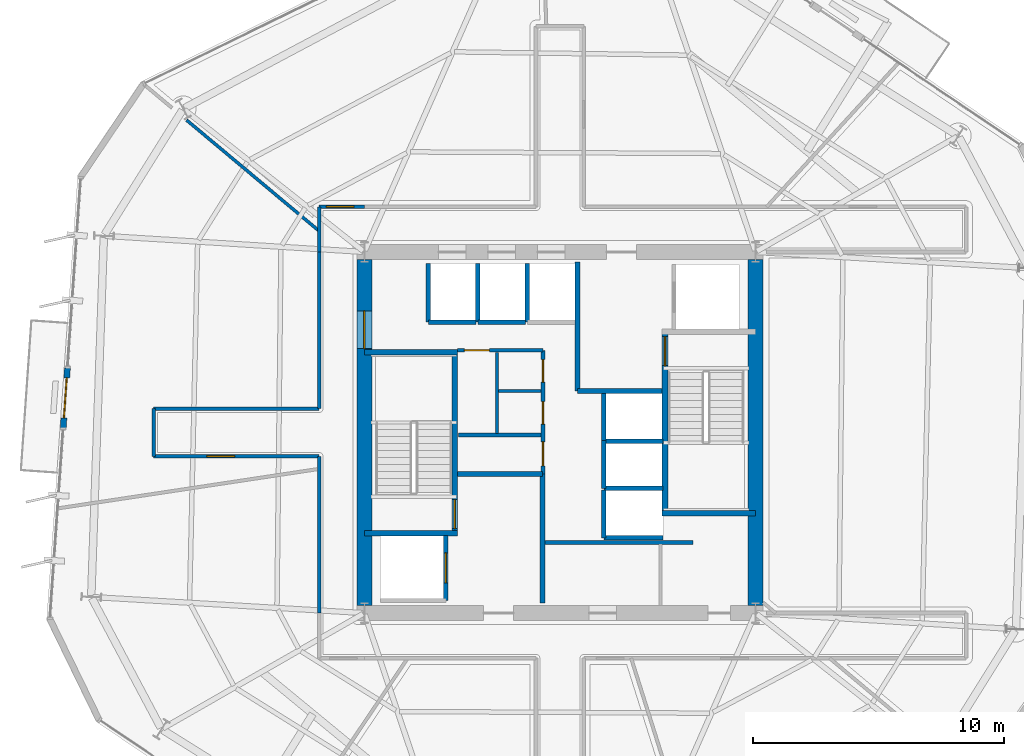
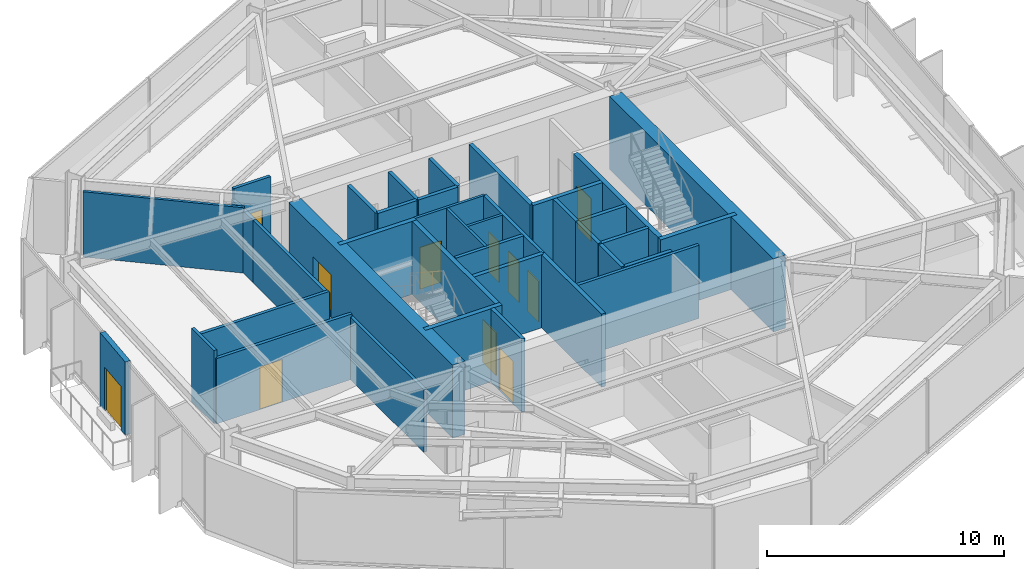
# One storey, part 7 of 14: 38 walls, 11 doors, 11 openings.
"""IFC4 building model written with IfcOpenShell, lengths in metres."""

import ifcopenshell
import ifcopenshell.guid

model = None  # the IFC model being written
_history = None  # IfcOwnerHistory: only IFC2X3 demands one
_inside = {}  # id of a spatial element -> (the spatial element, [elements in it])
_under = {}  # id of a project, library or spatial element -> (it, [spatial elements below it])
_declared = {}  # id of a project -> (the project, [libraries it declares])
_typed = {}  # id of a type object -> (the type object, [elements of that type])
_made_of = {}  # id of a material, layer set ... -> (it, [elements and type objects made of it])


def new_model(schema):
    """Start an empty IFC model of exactly this schema.

    Asked for "IFC4X3", IfcOpenShell would pick the latest addendum, in which some entities
    have other attributes; the version numbers below select the first issue.
    IFC2X3 requires an IfcOwnerHistory on every rooted entity: one is made here for all.
    """
    global model, _history
    if schema == "IFC4X3":
        model = ifcopenshell.file(schema_version=(4, 3, 0, 0))
    else:
        model = ifcopenshell.file(schema=schema)
    _inside.clear()
    _under.clear()
    _declared.clear()
    _typed.clear()
    _made_of.clear()
    _history = None
    if model.schema == "IFC2X3":
        org = make("IfcOrganization", Name="unknown")
        user = make(
            "IfcPersonAndOrganization",
            ThePerson=make("IfcPerson", FamilyName="unknown"),
            TheOrganization=org,
        )
        app = make(
            "IfcApplication",
            ApplicationDeveloper=org,
            Version="unknown",
            ApplicationFullName="unknown",
            ApplicationIdentifier="unknown",
        )
        _history = make(
            "IfcOwnerHistory",
            OwningUser=user,
            OwningApplication=app,
            ChangeAction="ADDED",
            CreationDate=0,
        )
    return model


def make(cls, **values):
    """One entity of the class cls with the attributes given. An attribute that is None is left unset."""
    return model.create_entity(
        cls, **{name: value for name, value in values.items() if value is not None}
    )


def rooted(cls, **values):
    """An entity with a GlobalId (a new one), such as an element, a storey or a relation."""
    return make(cls, GlobalId=ifcopenshell.guid.new(), OwnerHistory=_history, **values)


def si_unit(unit_type, name, prefix=None):
    """IfcSIUnit, for example si_unit("LENGTHUNIT", "METRE", prefix="MILLI")."""
    return make("IfcSIUnit", UnitType=unit_type, Prefix=prefix, Name=name)


def assignment(units):
    """IfcUnitAssignment: the units of a project."""
    return None if units is None else make("IfcUnitAssignment", Units=units)


def point(xyz):
    """IfcCartesianPoint."""
    return None if xyz is None else make("IfcCartesianPoint", Coordinates=xyz)


def direction(xyz):
    """IfcDirection."""
    return None if xyz is None else make("IfcDirection", DirectionRatios=xyz)


def frame(location, z_axis=None, x_axis=None):
    """IfcAxis2Placement3D, a coordinate frame: its origin and axes. An axis left out is left unset."""
    return make(
        "IfcAxis2Placement3D",
        Location=point(location),
        Axis=direction(z_axis),
        RefDirection=direction(x_axis),
    )


def frame_2d(location, x_axis=None):
    """IfcAxis2Placement2D, a coordinate frame in the plane: its origin and x axis."""
    return make(
        "IfcAxis2Placement2D", Location=point(location), RefDirection=direction(x_axis)
    )


def origin():
    """The frame at (0, 0, 0) with its axes left unset."""
    return frame((0.0, 0.0, 0.0))


def place(relative_to, where):
    """IfcLocalPlacement: puts the frame where relative to a parent placement (None: the world)."""
    return make(
        "IfcLocalPlacement", PlacementRelTo=relative_to, RelativePlacement=where
    )


def context(
    kind, dimensions, precision=None, world=None, true_north=None, identifier=None
):
    """IfcGeometricRepresentationContext, for example the 3D "Model" context."""
    return make(
        "IfcGeometricRepresentationContext",
        ContextIdentifier=identifier,
        ContextType=kind,
        CoordinateSpaceDimension=dimensions,
        Precision=precision,
        WorldCoordinateSystem=world,
        TrueNorth=true_north,
    )


def subcontext(parent, identifier, kind, view, scale=None):
    """IfcGeometricRepresentationSubContext, for example "Body" below "Model"."""
    return make(
        "IfcGeometricRepresentationSubContext",
        ContextIdentifier=identifier,
        ContextType=kind,
        ParentContext=parent,
        TargetScale=scale,
        TargetView=view,
    )


def project(units=None, contexts=None):
    """IfcProject with its units and contexts."""
    return rooted(
        "IfcProject",
        Name="project",
        RepresentationContexts=contexts,
        UnitsInContext=assignment(units),
    )


def spatial(cls, under=None, at=None, **own):
    """A site, building, storey or space (cls), placed at a placement, below another one or the project."""
    s = rooted(cls, ObjectPlacement=at, **own)
    if under is not None:
        _under.setdefault(under.id(), (under, []))[1].append(s)
    return s


def profile(cls, at=None, kind="AREA", **sizes):
    """A parametric profile (cls). Its sizes go by their IFC names, for example OverallWidth=200.0."""
    return make(cls, ProfileType=kind, Position=at, **sizes)


def rectangle(**sizes):
    """IfcRectangleProfileDef."""
    return profile("IfcRectangleProfileDef", **sizes)


def extrude(swept, where, along, depth):
    """IfcExtrudedAreaSolid: the profile swept, set in the frame where, extruded along a direction by depth."""
    return make(
        "IfcExtrudedAreaSolid",
        SweptArea=swept,
        Position=where,
        ExtrudedDirection=direction(along),
        Depth=depth,
    )


def shape(context_of_items, identifier, shape_type, items):
    """IfcShapeRepresentation: the items that make up one representation, for example the "Body"."""
    return make(
        "IfcShapeRepresentation",
        ContextOfItems=context_of_items,
        RepresentationIdentifier=identifier,
        RepresentationType=shape_type,
        Items=items,
    )


def material(Name=None, Category=None):
    """IfcMaterial."""
    return make("IfcMaterial", Name=Name, Category=Category)


def layer(
    of_material, thickness, ventilated=None, Name=None, Category=None, Priority=None
):
    """IfcMaterialLayer: one layer of a wall or slab, of a material (None: an air gap)."""
    return make(
        "IfcMaterialLayer",
        Material=of_material,
        LayerThickness=thickness,
        IsVentilated=ventilated,
        Name=Name,
        Category=Category,
        Priority=Priority,
    )


def layer_set(layers, Name=None):
    """IfcMaterialLayerSet."""
    return make("IfcMaterialLayerSet", MaterialLayers=layers, LayerSetName=Name)


def made_of(thing, what):
    """Note that an element or type object is made of a material, layer set ...; save() writes the relation."""
    if what is not None:
        _made_of.setdefault(what.id(), (what, []))[1].append(thing)
    return thing


def type_object(cls, material=None, **own):
    """A type object (cls), such as IfcWallType, which elements share."""
    return made_of(rooted(cls, **own), material)


def element(
    cls,
    number,
    at=None,
    inside=None,
    cuts=None,
    type_object=None,
    material=None,
    context=None,
    identifier="Body",
    shape_type=None,
    held_by="IfcProductDefinitionShape",
    body=None,
    shapes=None,
    **own,
):
    """One element of the class cls, such as IfcWall. Its Tag is "e" and its number.

    at: its placement. inside: the storey or other place that contains it. cuts: it is an
    opening in that element (IfcRelVoidsElement). A single representation is given by context,
    identifier, shape_type and body (its items); several are given by shapes. held_by: the class
    of the entity that holds the representations. save() writes the other relations.
    """
    e = rooted(cls, Tag="e%d" % number, ObjectPlacement=at, **own)
    if body is not None:
        shapes = [shape(context, identifier, shape_type, body)]
    if shapes is not None:
        e.Representation = make(held_by, Representations=shapes)
    if inside is not None:
        _inside.setdefault(inside.id(), (inside, []))[1].append(e)
    if cuts is not None:
        rooted(
            "IfcRelVoidsElement", RelatingBuildingElement=cuts, RelatedOpeningElement=e
        )
    if type_object is not None:
        _typed.setdefault(type_object.id(), (type_object, []))[1].append(e)
    return made_of(e, material)


def fill(opening, filler):
    """IfcRelFillsElement: the door or window that sits in an opening."""
    return rooted(
        "IfcRelFillsElement",
        RelatingOpeningElement=opening,
        RelatedBuildingElement=filler,
    )


def aggregate(whole, parts):
    """IfcRelAggregates: a whole, such as a stair, and the parts it consists of."""
    return rooted("IfcRelAggregates", RelatingObject=whole, RelatedObjects=parts)


def save(model, path):
    """Write the relations noted so far, then the file.

    IfcRelAggregates (storeys below a building ...), IfcRelContainedInSpatialStructure (elements
    in a storey), IfcRelDefinesByType, IfcRelAssociatesMaterial and IfcRelDeclares: one each for
    every whole, place, type object, material and project.
    """
    for whole, parts in _under.values():
        aggregate(whole, parts)
    for where, things in _inside.values():
        rooted(
            "IfcRelContainedInSpatialStructure",
            RelatedElements=things,
            RelatingStructure=where,
        )
    for kind, things in _typed.values():
        rooted("IfcRelDefinesByType", RelatedObjects=things, RelatingType=kind)
    for what, things in _made_of.values():
        rooted("IfcRelAssociatesMaterial", RelatedObjects=things, RelatingMaterial=what)
    for by, libraries in _declared.values():
        rooted("IfcRelDeclares", RelatingContext=by, RelatedDefinitions=libraries)
    model.write(path)


model = new_model("IFC4")

# Units and contexts
model_context = context("Model", 3, precision=1e-05, world=origin(), true_north=direction((0.0, 1.0)))
body_context = subcontext(model_context, "Body", "Model", "MODEL_VIEW")
ifc_project = project(units=[si_unit("LENGTHUNIT", "METRE"), si_unit("AREAUNIT", "SQUARE_METRE"), si_unit("VOLUMEUNIT", "CUBIC_METRE"), si_unit("PLANEANGLEUNIT", "RADIAN"), si_unit("MASSUNIT", "GRAM", prefix="KILO")], contexts=[model_context])

# Site, building, storey
site_placement = place(None, origin())
site = spatial("IfcSite", under=ifc_project, at=site_placement, CompositionType="ELEMENT")
building_placement = place(site_placement, origin())
building = spatial("IfcBuilding", under=site, at=building_placement, Name="Kranzbogen Civic Tower", CompositionType="ELEMENT")
storey_placement = place(building_placement, frame((0.0, 0.0, 126.39990234375)))
storey = spatial("IfcBuildingStorey", under=building, at=storey_placement, Name="L30", CompositionType="ELEMENT", Elevation=126.39990234375)

# Walls
ifc_material_1 = material(Name="Double-Stud Acoustic Gypsum Partition")
ifc_layer_1 = layer(ifc_material_1, 0.14990234375, Name="Double-Stud Acoustic Gypsum Partition")
ifc_layer_set_1 = layer_set([ifc_layer_1], Name="Double-Stud Acoustic Gypsum Partition")
wall_type_1 = type_object("IfcWallType", Name="Acoustic Corridor and Clinical Partition 150 mm", PredefinedType="PARTITIONING", material=ifc_layer_set_1)
wall_1_placement = place(storey_placement, frame((24.39990234375, 20.610107421875, 0.0), z_axis=(0.0, 0.0, 1.0), x_axis=(1.0, 0.0, 0.0)))
element("IfcWall", 1, at=wall_1_placement, inside=storey, type_object=wall_type_1, Name="L30 records zone North wall", PredefinedType="PARTITIONING", context=body_context, shape_type="SweptSolid", body=[
    extrude(rectangle(XDim=5.900146484375, YDim=0.14990234375, at=frame_2d((2.9501953125, 0.0))), origin(), (0.0, 0.0, 1.0), 3.760009765625),
])
wall_2_placement = place(storey_placement, frame((15.39990234375, 17.800048828125, 0.0), z_axis=(0.0, 0.0, 1.0), x_axis=(0.0, 1.0, 0.0)))
element("IfcWall", 2, at=wall_2_placement, inside=storey, type_object=wall_type_1, Name="L30 corridor partition 03", PredefinedType="PARTITIONING", context=body_context, shape_type="SweptSolid", body=[
    extrude(rectangle(XDim=6.25, YDim=0.14990234375, at=frame_2d((3.125, 0.0))), origin(), (0.0, 0.0, 1.0), 3.210205078125),
])

# Wall, opening, door
wall_3_placement = place(storey_placement, frame((15.39990234375, 24.050048828125, 0.0), z_axis=(0.0, 0.0, 1.0), x_axis=(-1.0, 0.0, 0.0)))
wall_3 = element("IfcWall", 3, at=wall_3_placement, inside=storey, type_object=wall_type_1, Name="L30 corridor partition 04", PredefinedType="PARTITIONING", context=body_context, shape_type="SweptSolid", body=[
    extrude(rectangle(XDim=6.599853515625, YDim=0.14990234375, at=frame_2d((3.2998046875, 0.0))), origin(), (0.0, 0.0, 1.0), 3.360107421875),
])
opening_1_placement = place(wall_3_placement, frame((3.375, 0.0, 0.0)))
opening_1 = element("IfcOpeningElement", 4, at=opening_1_placement, cuts=wall_3, Name="Opening D-COR60", PredefinedType="OPENING", context=body_context, shape_type="SweptSolid", body=[
    extrude(rectangle(XDim=1.10009765625, YDim=2.199951171875, at=frame_2d((0.550048828125, 1.10009765625))), frame((0.0, 0.0849609375, 0.0), z_axis=(0.0, -1.0, 0.0), x_axis=(1.0, 0.0, 0.0)), (0.0, 0.0, 1.0), 0.169921875),
])
ifc_material_2 = material(Name="Oak Timber and Fire Core", Category="wood")
door_type_1 = type_object("IfcDoorType", Name="Corridor Acoustic Fire Door 1100x2200", OperationType="NOTDEFINED", PredefinedType="DOOR", material=ifc_material_2)
door_1_placement = place(opening_1_placement, origin())
door_1 = element("IfcDoor", 5, at=door_1_placement, inside=storey, type_object=door_type_1, Name="L30 Operations Security Control Room door", OperationType="SINGLE_SWING_LEFT", OverallHeight=2.199951171875, OverallWidth=1.10009765625, PredefinedType="DOOR", context=body_context, shape_type="SweptSolid", body=[
    extrude(rectangle(XDim=1.10009765625, YDim=2.199951171875, at=frame_2d((0.550048828125, 1.10009765625))), frame((0.0, 0.02490234375, 0.0), z_axis=(0.0, -1.0, 0.0), x_axis=(1.0, 0.0, 0.0)), (0.0, 0.0, 1.0), 0.050048828125),
])
fill(opening_1, door_1)

# Walls
wall_4_placement = place(storey_placement, frame((8.800048828125, 24.050048828125, 0.0), z_axis=(0.0, 0.0, 1.0), x_axis=(0.0, 1.0, 0.0)))
element("IfcWall", 6, at=wall_4_placement, inside=storey, type_object=wall_type_1, Name="L30 corridor partition 05", PredefinedType="PARTITIONING", context=body_context, shape_type="SweptSolid", body=[
    extrude(rectangle(XDim=1.89990234375, YDim=0.14990234375, at=frame_2d((0.949951171875, 0.0))), origin(), (0.0, 0.0, 1.0), 3.760009765625),
])
wall_5_placement = place(storey_placement, frame((8.800048828125, 25.949951171875, 0.0), z_axis=(0.0, 0.0, 1.0), x_axis=(1.0, 0.0, 0.0)))
element("IfcWall", 7, at=wall_5_placement, inside=storey, type_object=wall_type_1, Name="L30 corridor partition 06", PredefinedType="PARTITIONING", context=body_context, shape_type="SweptSolid", body=[
    extrude(rectangle(XDim=6.599853515625, YDim=0.14990234375, at=frame_2d((3.2998046875, 0.0))), origin(), (0.0, 0.0, 1.0), 3.360107421875),
])
wall_6_placement = place(storey_placement, frame((15.39990234375, 25.949951171875, 0.0), z_axis=(0.0, 0.0, 1.0), x_axis=(0.0, 1.0, 0.0)))
element("IfcWall", 8, at=wall_6_placement, inside=storey, type_object=wall_type_1, Name="L30 corridor partition 07", PredefinedType="PARTITIONING", context=body_context, shape_type="SweptSolid", body=[
    extrude(rectangle(XDim=6.25, YDim=0.14990234375, at=frame_2d((3.125, 0.0))), origin(), (0.0, 0.0, 1.0), 3.210205078125),
])
wall_7_placement = place(storey_placement, frame((15.39990234375, 32.199951171875, 0.0), z_axis=(0.0, 0.0, 1.0), x_axis=(0.0, 1.0, 0.0)))
element("IfcWall", 9, at=wall_7_placement, inside=storey, type_object=wall_type_1, Name="L30 corridor partition 08", PredefinedType="PARTITIONING", context=body_context, shape_type="SweptSolid", body=[
    extrude(rectangle(XDim=1.800048828125, YDim=0.14990234375, at=frame_2d((0.89990234375, 0.0))), origin(), (0.0, 0.0, 1.0), 3.210205078125),
])

# Wall, opening, door
wall_8_placement = place(storey_placement, frame((15.39990234375, 34.0, 0.0), z_axis=(0.0, 0.0, 1.0), x_axis=(1.0, 0.0, 0.0)))
wall_8 = element("IfcWall", 10, at=wall_8_placement, inside=storey, type_object=wall_type_1, Name="L30 corridor partition 09", PredefinedType="PARTITIONING", context=body_context, shape_type="SweptSolid", body=[
    extrude(rectangle(XDim=1.800048828125, YDim=0.14990234375, at=frame_2d((0.89990234375, 0.0))), origin(), (0.0, 0.0, 1.0), 3.760009765625),
])
opening_2_placement = place(wall_8_placement, frame((0.287109375, 0.0, 0.0)))
opening_2 = element("IfcOpeningElement", 11, at=opening_2_placement, cuts=wall_8, Name="Opening D-COR60", PredefinedType="OPENING", context=body_context, shape_type="SweptSolid", body=[
    extrude(rectangle(XDim=1.10009765625, YDim=2.199951171875, at=frame_2d((0.550048828125, 1.10009765625))), frame((0.0, 0.0849609375, 0.0), z_axis=(0.0, -1.0, 0.0), x_axis=(1.0, 0.0, 0.0)), (0.0, 0.0, 1.0), 0.169921875),
])
door_2_placement = place(opening_2_placement, origin())
door_2 = element("IfcDoor", 12, at=door_2_placement, inside=storey, type_object=door_type_1, Name="L30 Refreshment Galley Pantry door", OperationType="SINGLE_SWING_RIGHT", OverallHeight=2.199951171875, OverallWidth=1.10009765625, PredefinedType="DOOR", context=body_context, shape_type="SweptSolid", body=[
    extrude(rectangle(XDim=1.10009765625, YDim=2.199951171875, at=frame_2d((0.550048828125, 1.10009765625))), frame((0.0, 0.02490234375, 0.0), z_axis=(0.0, -1.0, 0.0), x_axis=(1.0, 0.0, 0.0)), (0.0, 0.0, 1.0), 0.050048828125),
])
fill(opening_2, door_2)

ifc_material_3 = material(Name="Insulated Metal-Stud Gypsum Partition")
ifc_layer_2 = layer(ifc_material_3, 0.125, Name="Insulated Metal-Stud Gypsum Partition")
ifc_layer_set_2 = layer_set([ifc_layer_2], Name="Insulated Metal-Stud Gypsum Partition")
wall_type_2 = type_object("IfcWallType", Name="Acoustic Inter-Room Partition 125 mm", PredefinedType="PARTITIONING", material=ifc_layer_set_2)
wall_9_placement = place(storey_placement, frame((20.919921875, 28.280029296875, 0.0), z_axis=(0.0, 0.0, 1.0), x_axis=(1.0, 0.0, 0.0)))
wall_9 = element("IfcWall", 13, at=wall_9_placement, inside=storey, type_object=wall_type_2, Name="L30 core auxiliary North wall", PredefinedType="PARTITIONING", context=body_context, shape_type="SweptSolid", body=[
    extrude(rectangle(XDim=3.405029296875, YDim=0.125, at=frame_2d((1.70263671875, 0.0))), origin(), (0.0, 0.0, 1.0), 3.760009765625),
])
opening_3_placement = place(wall_9_placement, frame((0.27001953125, 0.0, 0.0)))
opening_3 = element("IfcOpeningElement", 14, at=opening_3_placement, cuts=wall_9, Name="Opening D-RSR10", PredefinedType="OPENING", context=body_context, shape_type="SweptSolid", body=[
    extrude(rectangle(XDim=1.0, YDim=2.14990234375, at=frame_2d((0.5, 1.074951171875))), frame((0.0, 0.072509765625, 0.0), z_axis=(0.0, -1.0, 0.0), x_axis=(1.0, 0.0, 0.0)), (0.0, 0.0, 1.0), 0.14501953125),
])
door_type_2 = type_object("IfcDoorType", Name="Core Archive and Riser Fire Door 1000x2150", OperationType="NOTDEFINED", PredefinedType="DOOR", material=ifc_material_2)
door_3_placement = place(opening_3_placement, origin())
door_3 = element("IfcDoor", 15, at=door_3_placement, inside=storey, type_object=door_type_2, Name="L30 Floor Supply Store door", OperationType="SINGLE_SWING_RIGHT", OverallHeight=2.14990234375, OverallWidth=1.0, PredefinedType="DOOR", context=body_context, shape_type="SweptSolid", body=[
    extrude(rectangle(XDim=1.0, YDim=2.14990234375, at=frame_2d((0.5, 1.074951171875))), frame((0.0, 0.02490234375, 0.0), z_axis=(0.0, -1.0, 0.0), x_axis=(1.0, 0.0, 0.0)), (0.0, 0.0, 1.0), 0.050048828125),
])
fill(opening_3, door_3)

# Walls
wall_10_placement = place(storey_placement, frame((22.489990234375, 24.969970703125, 0.0), z_axis=(0.0, 0.0, 1.0), x_axis=(0.0, 1.0, 0.0)))
element("IfcWall", 16, at=wall_10_placement, inside=storey, type_object=wall_type_2, Name="L30 core auxiliary partition 3", PredefinedType="PARTITIONING", context=body_context, shape_type="SweptSolid", body=[
    extrude(rectangle(XDim=3.22998046875, YDim=0.125, at=frame_2d((1.614990234375, 0.0))), origin(), (0.0, 0.0, 1.0), 3.760009765625),
])
wall_11_placement = place(storey_placement, frame((22.550048828125, 26.659912109375, 0.0), z_axis=(0.0, 0.0, 1.0), x_axis=(1.0, 0.0, 0.0)))
element("IfcWall", 17, at=wall_11_placement, inside=storey, type_object=wall_type_2, Name="L30 core auxiliary partition 4", PredefinedType="PARTITIONING", context=body_context, shape_type="SweptSolid", body=[
    extrude(rectangle(XDim=1.699951171875, YDim=0.125, at=frame_2d((0.85009765625, 0.0))), origin(), (0.0, 0.0, 1.0), 3.760009765625),
])
wall_12_placement = place(storey_placement, frame((15.39990234375, 33.033935546875, 0.0), z_axis=(0.0, 0.0, 1.0), x_axis=(-0.766876366805, 0.641794856661, 0.0)))
element("IfcWall", 18, at=wall_12_placement, inside=storey, type_object=wall_type_2, Name="L30 radial room partition 03 part 1", PredefinedType="PARTITIONING", context=body_context, shape_type="SweptSolid", body=[
    extrude(rectangle(XDim=6.89794921875, YDim=0.125, at=frame_2d((3.448974609375, 0.0))), origin(), (0.0, 0.0, 1.0), 3.360107421875),
])

# Wall, opening, door
ifc_material_4 = material(Name="Concrete C55/67", Category="concrete")
ifc_layer_3 = layer(ifc_material_4, 0.60009765625, Name="Concrete C55/67")
ifc_layer_set_3 = layer_set([ifc_layer_3], Name="Concrete C55/67")
wall_type_3 = type_object("IfcWallType", Name="Central Core Shear Wall 600 mm", PredefinedType="SHEAR", material=ifc_layer_set_3)
wall_13_placement = place(storey_placement, frame((17.199951171875, 31.89990234375, 0.0), z_axis=(0.0, 0.0, 1.0), x_axis=(0.0, -1.0, 0.0)))
wall_13 = element("IfcWall", 19, at=wall_13_placement, inside=storey, type_object=wall_type_3, Name="L30 central core West shear wall", PredefinedType="SHEAR", context=body_context, shape_type="SweptSolid", body=[
    extrude(rectangle(XDim=13.7998046875, YDim=0.60009765625, at=frame_2d((6.89990234375, 0.0))), origin(), (0.0, 0.0, 1.0), 3.760009765625),
])
opening_4_placement = place(wall_13_placement, frame((2.050048828125, 0.0, 0.0)))
opening_4 = element("IfcOpeningElement", 20, at=opening_4_placement, cuts=wall_13, Name="Opening D-DBL15", PredefinedType="OPENING", context=body_context, shape_type="SweptSolid", body=[
    extrude(rectangle(XDim=1.5, YDim=2.199951171875, at=frame_2d((0.75, 1.10009765625))), frame((0.0, 0.31005859375, 0.0), z_axis=(0.0, -1.0, 0.0), x_axis=(1.0, 0.0, 0.0)), (0.0, 0.0, 1.0), 0.6201171875),
])
ifc_material_5 = material(Name="Anodised Bronze and Glass", Category="glass")
door_type_3 = type_object("IfcDoorType", Name="Civic Lobby Double Door 1500x2200", OperationType="DOUBLE_DOOR_SINGLE_SWING", PredefinedType="DOOR", material=ifc_material_5)
door_4_placement = place(opening_4_placement, origin())
door_4 = element("IfcDoor", 21, at=door_4_placement, inside=storey, type_object=door_type_3, Name="L30 Central Lift Lobby West concourse door", OperationType="DOUBLE_DOOR_SINGLE_SWING", OverallHeight=2.199951171875, OverallWidth=1.5, PredefinedType="DOOR", context=body_context, shape_type="SweptSolid", body=[
    extrude(rectangle(XDim=1.5, YDim=2.199951171875, at=frame_2d((0.75, 1.10009765625))), frame((0.0, 0.02490234375, 0.0), z_axis=(0.0, -1.0, 0.0), x_axis=(1.0, 0.0, 0.0)), (0.0, 0.0, 1.0), 0.050048828125),
])
fill(opening_4, door_4)

# Wall
wall_14_placement = place(storey_placement, frame((32.800048828125, 18.10009765625, 0.0), z_axis=(0.0, 0.0, 1.0), x_axis=(0.0, 1.0, 0.0)))
element("IfcWall", 22, at=wall_14_placement, inside=storey, type_object=wall_type_3, Name="L30 central core East shear wall", PredefinedType="SHEAR", context=body_context, shape_type="SweptSolid", body=[
    extrude(rectangle(XDim=13.7998046875, YDim=0.60009765625, at=frame_2d((6.89990234375, 0.0))), origin(), (0.0, 0.0, 1.0), 3.760009765625),
])

# Wall, opening, door
ifc_material_6 = material(Name="Concrete C45/55", Category="concrete")
ifc_layer_4 = layer(ifc_material_6, 0.219970703125, Name="Concrete C45/55")
ifc_layer_set_4 = layer_set([ifc_layer_4], Name="Concrete C45/55")
wall_type_4 = type_object("IfcWallType", Name="Core Internal Stair Structural Wall 220 mm", PredefinedType="SOLIDWALL", material=ifc_layer_set_4)
wall_15_placement = place(storey_placement, frame((20.81005859375, 20.989990234375, 0.0), z_axis=(0.0, 0.0, 1.0), x_axis=(0.0, 1.0, 0.0)))
wall_15 = element("IfcWall", 23, at=wall_15_placement, inside=storey, type_object=wall_type_4, Name="L30 ST-T1 East structural stair wall", PredefinedType="SOLIDWALL", context=body_context, shape_type="SweptSolid", body=[
    extrude(rectangle(XDim=7.219970703125, YDim=0.219970703125, at=frame_2d((3.60986328125, 0.0))), origin(), (0.0, 0.0, 1.0), 3.760009765625),
])
opening_5_placement = place(wall_15_placement, frame((0.179931640625, 0.0, 0.0)))
opening_5 = element("IfcOpeningElement", 24, at=opening_5_placement, cuts=wall_15, Name="Opening D-ST90", PredefinedType="OPENING", context=body_context, shape_type="SweptSolid", body=[
    extrude(rectangle(XDim=1.14990234375, YDim=2.199951171875, at=frame_2d((0.574951171875, 1.10009765625))), frame((0.0, 0.1201171875, 0.0), z_axis=(0.0, -1.0, 0.0), x_axis=(1.0, 0.0, 0.0)), (0.0, 0.0, 1.0), 0.239990234375),
])
ifc_material_7 = material(Name="Steel S355", Category="steel")
door_type_4 = type_object("IfcDoorType", Name="Pressurized Stair and Lobby Fire Door 1150x2200", OperationType="NOTDEFINED", PredefinedType="DOOR", material=ifc_material_7)
door_5_placement = place(opening_5_placement, origin())
door_5 = element("IfcDoor", 25, at=door_5_placement, inside=storey, type_object=door_type_4, Name="L30 Stair ST-T1 fire door", OperationType="SINGLE_SWING_LEFT", OverallHeight=2.199951171875, OverallWidth=1.14990234375, PredefinedType="DOOR", context=body_context, shape_type="SweptSolid", body=[
    extrude(rectangle(XDim=1.14990234375, YDim=2.199951171875, at=frame_2d((0.574951171875, 1.10009765625))), frame((0.0, 0.02490234375, 0.0), z_axis=(0.0, -1.0, 0.0), x_axis=(1.0, 0.0, 0.0)), (0.0, 0.0, 1.0), 0.050048828125),
])
fill(opening_5, door_5)

# Walls
for number, where, z_axis, x_axis, name in (
    (26, (17.199951171875, 20.989990234375, 0.0), (0.0, 0.0, 1.0), (1.0, 0.0, 0.0), "L30 ST-T1 South structural stair wall"),
    (27, (17.199951171875, 28.2099609375, 0.0), (0.0, 0.0, 1.0), (1.0, 0.0, 0.0), "L30 ST-T1 North structural stair wall"),
):
    element("IfcWall", number, at=place(storey_placement, frame(where, z_axis=z_axis, x_axis=x_axis)), inside=storey, type_object=wall_type_4, Name=name, PredefinedType="SOLIDWALL", context=body_context, shape_type="SweptSolid", body=[
        extrude(rectangle(XDim=3.719970703125, YDim=0.219970703125, at=frame_2d((1.85986328125, 0.0))), origin(), (0.0, 0.0, 1.0), 3.760009765625),
    ])

# Wall, opening, door
wall_16_placement = place(storey_placement, frame((29.18994140625, 21.7900390625, 0.0), z_axis=(0.0, 0.0, 1.0), x_axis=(0.0, 1.0, 0.0)))
wall_16 = element("IfcWall", 28, at=wall_16_placement, inside=storey, type_object=wall_type_4, Name="L30 ST-T2 West structural stair wall", PredefinedType="SOLIDWALL", context=body_context, shape_type="SweptSolid", body=[
    extrude(rectangle(XDim=7.219970703125, YDim=0.219970703125, at=frame_2d((3.60986328125, 0.0))), origin(), (0.0, 0.0, 1.0), 3.760009765625),
])
opening_6_placement = place(wall_16_placement, frame((5.8798828125, 0.0, 0.0)))
opening_6 = element("IfcOpeningElement", 29, at=opening_6_placement, cuts=wall_16, Name="Opening D-ST90", PredefinedType="OPENING", context=body_context, shape_type="SweptSolid", body=[
    extrude(rectangle(XDim=1.14990234375, YDim=2.199951171875, at=frame_2d((0.574951171875, 1.10009765625))), frame((0.0, 0.1201171875, 0.0), z_axis=(0.0, -1.0, 0.0), x_axis=(1.0, 0.0, 0.0)), (0.0, 0.0, 1.0), 0.239990234375),
])
door_6_placement = place(opening_6_placement, origin())
door_6 = element("IfcDoor", 30, at=door_6_placement, inside=storey, type_object=door_type_4, Name="L30 Stair ST-T2 fire door", OperationType="SINGLE_SWING_RIGHT", OverallHeight=2.199951171875, OverallWidth=1.14990234375, PredefinedType="DOOR", context=body_context, shape_type="SweptSolid", body=[
    extrude(rectangle(XDim=1.14990234375, YDim=2.199951171875, at=frame_2d((0.574951171875, 1.10009765625))), frame((0.0, 0.02490234375, 0.0), z_axis=(0.0, -1.0, 0.0), x_axis=(1.0, 0.0, 0.0)), (0.0, 0.0, 1.0), 0.050048828125),
])
fill(opening_6, door_6)

# Walls
wall_17_placement = place(storey_placement, frame((29.080078125, 21.7900390625, 0.0), z_axis=(0.0, 0.0, 1.0), x_axis=(1.0, 0.0, 0.0)))
element("IfcWall", 31, at=wall_17_placement, inside=storey, type_object=wall_type_4, Name="L30 ST-T2 South structural stair wall", PredefinedType="SOLIDWALL", context=body_context, shape_type="SweptSolid", body=[
    extrude(rectangle(XDim=3.719970703125, YDim=0.219970703125, at=frame_2d((1.85986328125, 0.0))), origin(), (0.0, 0.0, 1.0), 3.760009765625),
])
ifc_material_8 = material(Name="Gypsum Fireboard and Concrete Block", Category="concrete")
ifc_layer_5 = layer(ifc_material_8, 0.199951171875, Name="Gypsum Fireboard and Concrete Block")
ifc_layer_set_5 = layer_set([ifc_layer_5], Name="Gypsum Fireboard and Concrete Block")
wall_type_5 = type_object("IfcWallType", Name="Fire-Rated Exit Passageway and Stair Wall 200 mm", PredefinedType="PARTITIONING", material=ifc_layer_set_5)
wall_18_placement = place(storey_placement, frame((24.300048828125, 18.199951171875, 0.0), z_axis=(0.0, 0.0, 1.0), x_axis=(0.0, 1.0, 0.0)))
element("IfcWall", 32, at=wall_18_placement, inside=storey, type_object=wall_type_5, Name="L30 West firefighting lobby East wall", PredefinedType="PARTITIONING", context=body_context, shape_type="SweptSolid", body=[
    extrude(rectangle(XDim=5.150146484375, YDim=0.199951171875, at=frame_2d((2.5751953125, 0.0))), origin(), (0.0, 0.0, 1.0), 3.760009765625),
])
wall_19_placement = place(storey_placement, frame((20.919921875, 23.35009765625, 0.0), z_axis=(0.0, 0.0, 1.0), x_axis=(1.0, 0.0, 0.0)))
element("IfcWall", 33, at=wall_19_placement, inside=storey, type_object=wall_type_5, Name="L30 West firefighting lobby North wall", PredefinedType="PARTITIONING", context=body_context, shape_type="SweptSolid", body=[
    extrude(rectangle(XDim=3.380126953125, YDim=0.199951171875, at=frame_2d((1.68994140625, 0.0))), origin(), (0.0, 0.0, 1.0), 3.760009765625),
])
wall_20_placement = place(storey_placement, frame((25.699951171875, 26.64990234375, 0.0), z_axis=(0.0, 0.0, 1.0), x_axis=(0.0, 1.0, 0.0)))
element("IfcWall", 34, at=wall_20_placement, inside=storey, type_object=wall_type_5, Name="L30 East firefighting lobby West wall", PredefinedType="PARTITIONING", context=body_context, shape_type="SweptSolid", body=[
    extrude(rectangle(XDim=5.150146484375, YDim=0.199951171875, at=frame_2d((2.5751953125, 0.0))), origin(), (0.0, 0.0, 1.0), 3.760009765625),
])
wall_21_placement = place(storey_placement, frame((25.699951171875, 26.64990234375, 0.0), z_axis=(0.0, 0.0, 1.0), x_axis=(1.0, 0.0, 0.0)))
element("IfcWall", 35, at=wall_21_placement, inside=storey, type_object=wall_type_5, Name="L30 East firefighting lobby South wall", PredefinedType="PARTITIONING", context=body_context, shape_type="SweptSolid", body=[
    extrude(rectangle(XDim=3.380126953125, YDim=0.199951171875, at=frame_2d((1.68994140625, 0.0))), origin(), (0.0, 0.0, 1.0), 3.760009765625),
])
ifc_material_9 = material(Name="Gypsum Fireboard Shaftliner")
ifc_layer_6 = layer(ifc_material_9, 0.175048828125, Name="Gypsum Fireboard Shaftliner")
ifc_layer_set_6 = layer_set([ifc_layer_6], Name="Gypsum Fireboard Shaftliner")
wall_type_6 = type_object("IfcWallType", Name="Fire-Rated Lift and Service Shaft Wall 175 mm", PredefinedType="PARTITIONING", material=ifc_layer_set_6)
wall_22_placement = place(storey_placement, frame((19.75, 29.39990234375, 0.0), z_axis=(0.0, 0.0, 1.0), x_axis=(1.0, 0.0, 0.0)))
element("IfcWall", 36, at=wall_22_placement, inside=storey, type_object=wall_type_6, Name="L30 lift MP-01 rear wall", PredefinedType="PARTITIONING", context=body_context, shape_type="SweptSolid", body=[
    extrude(rectangle(XDim=1.89990234375, YDim=0.175048828125, at=frame_2d((0.949951171875, 0.0))), origin(), (0.0, 0.0, 1.0), 3.760009765625),
])
wall_23_placement = place(storey_placement, frame((19.75, 29.39990234375, 0.0), z_axis=(0.0, 0.0, 1.0), x_axis=(0.0, 1.0, 0.0)))
element("IfcWall", 37, at=wall_23_placement, inside=storey, type_object=wall_type_6, Name="L30 lift MP-01 side wall", PredefinedType="PARTITIONING", context=body_context, shape_type="SweptSolid", body=[
    extrude(rectangle(XDim=2.35009765625, YDim=0.175048828125, at=frame_2d((1.175048828125, 0.0))), origin(), (0.0, 0.0, 1.0), 3.760009765625),
])
wall_24_placement = place(storey_placement, frame((21.72509765625, 29.39990234375, 0.0), z_axis=(0.0, 0.0, 1.0), x_axis=(1.0, 0.0, 0.0)))
element("IfcWall", 38, at=wall_24_placement, inside=storey, type_object=wall_type_6, Name="L30 lift MP-02 rear wall", PredefinedType="PARTITIONING", context=body_context, shape_type="SweptSolid", body=[
    extrude(rectangle(XDim=1.89990234375, YDim=0.175048828125, at=frame_2d((0.949951171875, 0.0))), origin(), (0.0, 0.0, 1.0), 3.760009765625),
])
for number, where, z_axis, x_axis, name in (
    (39, (21.72509765625, 29.39990234375, 0.0), (0.0, 0.0, 1.0), (0.0, 1.0, 0.0), "L30 lift MP-02 side wall"),
    (40, (23.699951171875, 29.39990234375, 0.0), (0.0, 0.0, 1.0), (0.0, 1.0, 0.0), "L30 lift MP-03 side wall"),
):
    element("IfcWall", number, at=place(storey_placement, frame(where, z_axis=z_axis, x_axis=x_axis)), inside=storey, type_object=wall_type_6, Name=name, PredefinedType="PARTITIONING", context=body_context, shape_type="SweptSolid", body=[
        extrude(rectangle(XDim=2.35009765625, YDim=0.175048828125, at=frame_2d((1.175048828125, 0.0))), origin(), (0.0, 0.0, 1.0), 3.760009765625),
    ])
wall_25_placement = place(storey_placement, frame((26.75, 20.800048828125, 0.0), z_axis=(0.0, 0.0, 1.0), x_axis=(0.0, 1.0, 0.0)))
element("IfcWall", 41, at=wall_25_placement, inside=storey, type_object=wall_type_6, Name="L30 lift HP-01 landing wall", PredefinedType="PARTITIONING", context=body_context, shape_type="SweptSolid", body=[
    extrude(rectangle(XDim=1.89990234375, YDim=0.175048828125, at=frame_2d((0.949951171875, 0.0))), origin(), (0.0, 0.0, 1.0), 3.760009765625),
])
wall_26_placement = place(storey_placement, frame((26.75, 20.800048828125, 0.0), z_axis=(0.0, 0.0, 1.0), x_axis=(1.0, 0.0, 0.0)))
element("IfcWall", 42, at=wall_26_placement, inside=storey, type_object=wall_type_6, Name="L30 lift HP-01 side wall", PredefinedType="PARTITIONING", context=body_context, shape_type="SweptSolid", body=[
    extrude(rectangle(XDim=2.35009765625, YDim=0.175048828125, at=frame_2d((1.175048828125, 0.0))), origin(), (0.0, 0.0, 1.0), 3.760009765625),
])
wall_27_placement = place(storey_placement, frame((26.75, 22.77490234375, 0.0), z_axis=(0.0, 0.0, 1.0), x_axis=(0.0, 1.0, 0.0)))
element("IfcWall", 43, at=wall_27_placement, inside=storey, type_object=wall_type_6, Name="L30 lift HP-02 landing wall", PredefinedType="PARTITIONING", context=body_context, shape_type="SweptSolid", body=[
    extrude(rectangle(XDim=1.900146484375, YDim=0.175048828125, at=frame_2d((0.9501953125, 0.0))), origin(), (0.0, 0.0, 1.0), 3.760009765625),
])
wall_28_placement = place(storey_placement, frame((26.75, 22.77490234375, 0.0), z_axis=(0.0, 0.0, 1.0), x_axis=(1.0, 0.0, 0.0)))
element("IfcWall", 44, at=wall_28_placement, inside=storey, type_object=wall_type_6, Name="L30 lift HP-02 side wall", PredefinedType="PARTITIONING", context=body_context, shape_type="SweptSolid", body=[
    extrude(rectangle(XDim=2.35009765625, YDim=0.175048828125, at=frame_2d((1.175048828125, 0.0))), origin(), (0.0, 0.0, 1.0), 3.760009765625),
])
wall_29_placement = place(storey_placement, frame((26.75, 24.64990234375, 0.0), z_axis=(0.0, 0.0, 1.0), x_axis=(0.0, 1.0, 0.0)))
element("IfcWall", 45, at=wall_29_placement, inside=storey, type_object=wall_type_6, Name="L30 lift HP-03 landing wall", PredefinedType="PARTITIONING", context=body_context, shape_type="SweptSolid", body=[
    extrude(rectangle(XDim=1.900146484375, YDim=0.175048828125, at=frame_2d((0.9501953125, 0.0))), origin(), (0.0, 0.0, 1.0), 3.760009765625),
])
wall_30_placement = place(storey_placement, frame((26.75, 24.64990234375, 0.0), z_axis=(0.0, 0.0, 1.0), x_axis=(1.0, 0.0, 0.0)))
element("IfcWall", 46, at=wall_30_placement, inside=storey, type_object=wall_type_6, Name="L30 lift HP-03 side wall", PredefinedType="PARTITIONING", context=body_context, shape_type="SweptSolid", body=[
    extrude(rectangle(XDim=2.35009765625, YDim=0.175048828125, at=frame_2d((1.175048828125, 0.0))), origin(), (0.0, 0.0, 1.0), 3.760009765625),
])

# Wall, opening, door
wall_31_placement = place(storey_placement, frame((20.449951171875, 18.300048828125, 0.0), z_axis=(0.0, 0.0, 1.0), x_axis=(0.0, 1.0, 0.0)))
wall_31 = element("IfcWall", 47, at=wall_31_placement, inside=storey, type_object=wall_type_6, Name="L30 lift FF-01 landing wall", PredefinedType="PARTITIONING", context=body_context, shape_type="SweptSolid", body=[
    extrude(rectangle(XDim=2.599853515625, YDim=0.175048828125, at=frame_2d((1.2998046875, 0.0))), origin(), (0.0, 0.0, 1.0), 3.760009765625),
])
opening_7_placement = place(wall_31_placement, frame((0.699951171875, 0.0, 0.0)))
opening_7 = element("IfcOpeningElement", 48, at=opening_7_placement, cuts=wall_31, Name="Opening LD-FF-01", PredefinedType="OPENING", context=body_context, shape_type="SweptSolid", body=[
    extrude(rectangle(XDim=1.199951171875, YDim=2.199951171875, at=frame_2d((0.60009765625, 1.10009765625))), frame((0.0, 0.09765625, 0.0), z_axis=(0.0, -1.0, 0.0), x_axis=(1.0, 0.0, 0.0)), (0.0, 0.0, 1.0), 0.195068359375),
])
ifc_material_10 = material(Name="Pale Anodised Aluminium", Category="aluminium")
door_type_5 = type_object("IfcDoorType", Name="Firefighting and Stretcher Lift Sliding Landing Door 1200x2200", OperationType="DOUBLE_DOOR_SLIDING", PredefinedType="DOOR", material=ifc_material_10)
door_7_placement = place(opening_7_placement, origin())
door_7 = element("IfcDoor", 49, at=door_7_placement, inside=storey, type_object=door_type_5, Name="L30 lift FF-01 sliding landing door", OperationType="DOUBLE_DOOR_SLIDING", OverallHeight=2.199951171875, OverallWidth=1.199951171875, PredefinedType="DOOR", context=body_context, shape_type="SweptSolid", body=[
    extrude(rectangle(XDim=1.199951171875, YDim=2.199951171875, at=frame_2d((0.60009765625, 1.10009765625))), frame((0.0, 0.02490234375, 0.0), z_axis=(0.0, -1.0, 0.0), x_axis=(1.0, 0.0, 0.0)), (0.0, 0.0, 1.0), 0.050048828125),
])
fill(opening_7, door_7)

ifc_layer_7 = layer(ifc_material_10, 0.239990234375, Name="Pale Anodised Aluminium")
ifc_layer_set_7 = layer_set([ifc_layer_7], Name="Pale Anodised Aluminium")
wall_type_7 = type_object("IfcWallType", Name="Insulated Aluminium Facade Portal Wall 240 mm", PredefinedType="STANDARD", material=ifc_layer_set_7)
wall_32_placement = place(storey_placement, frame((5.360107421875, 27.575927734375, 0.0), z_axis=(0.0, 0.0, 1.0), x_axis=(-0.070090302694, -0.997540650534, 0.0)))
wall_32 = element("IfcWall", 50, at=wall_32_placement, inside=storey, type_object=wall_type_7, Name="L30 exterior entrance portal wall 1", PredefinedType="STANDARD", context=body_context, shape_type="SweptSolid", body=[
    extrude(rectangle(XDim=2.39990234375, YDim=0.239990234375, at=frame_2d((1.199951171875, 0.0))), origin(), (0.0, 0.0, 1.0), 3.760009765625),
])
opening_8_placement = place(wall_32_placement, frame((0.39990234375, 0.0, 0.0)))
opening_8 = element("IfcOpeningElement", 51, at=opening_8_placement, cuts=wall_32, Name="Opening D-TER", PredefinedType="OPENING", context=body_context, shape_type="SweptSolid", body=[
    extrude(rectangle(XDim=1.60009765625, YDim=2.25, at=frame_2d((0.800048828125, 1.125))), frame((0.0, 0.1298828125, 0.0), z_axis=(0.0, -1.0, 0.0), x_axis=(1.0, 0.0, 0.0)), (0.0, 0.0, 1.0), 0.260009765625),
])
ifc_material_11 = material(Name="Anodised Bronze and Triple Glass", Category="glass")
door_type_6 = type_object("IfcDoorType", Name="Glazed Terrace and Balcony Double Door 1600x2250", OperationType="DOUBLE_DOOR_SINGLE_SWING", PredefinedType="DOOR", material=ifc_material_11)
door_8_placement = place(opening_8_placement, frame((1.60009765625, 0.0, 0.0), z_axis=(0.0, 0.0, 1.0), x_axis=(-1.0, 0.0, 0.0)))
door_8 = element("IfcDoor", 52, at=door_8_placement, inside=storey, type_object=door_type_6, Name="L30 tree balcony access door L30-TB1", OperationType="DOUBLE_DOOR_SINGLE_SWING", OverallHeight=2.25, OverallWidth=1.60009765625, PredefinedType="DOOR", context=body_context, shape_type="SweptSolid", body=[
    extrude(rectangle(XDim=1.60009765625, YDim=2.25, at=frame_2d((0.800048828125, 1.125))), frame((0.0, 0.02490234375, 0.0), z_axis=(0.0, -1.0, 0.0), x_axis=(1.0, 0.0, 0.0)), (0.0, 0.0, 1.0), 0.050048828125),
])
fill(opening_8, door_8)

# Wall, openings, doors
ifc_material_12 = material(Name="Moisture-Resistant Gypsum Assembly")
ifc_layer_8 = layer(ifc_material_12, 0.159912109375, Name="Moisture-Resistant Gypsum Assembly")
ifc_layer_set_8 = layer_set([ifc_layer_8], Name="Moisture-Resistant Gypsum Assembly")
wall_type_8 = type_object("IfcWallType", Name="Sanitary and Plumbing Wet Wall 160 mm", PredefinedType="PLUMBINGWALL", material=ifc_layer_set_8)
wall_33_placement = place(storey_placement, frame((24.324951171875, 23.35009765625, 0.0), z_axis=(0.0, 0.0, 1.0), x_axis=(0.0, 1.0, 0.0)))
wall_33 = element("IfcWall", 53, at=wall_33_placement, inside=storey, type_object=wall_type_8, Name="L30 core auxiliary East wall", PredefinedType="PLUMBINGWALL", context=body_context, shape_type="SweptSolid", body=[
    extrude(rectangle(XDim=4.929931640625, YDim=0.159912109375, at=frame_2d((2.46484375, 0.0))), origin(), (0.0, 0.0, 1.0), 3.760009765625),
])
opening_9_placement = place(wall_33_placement, frame((0.324951171875, 0.0, 0.0)))
opening_9 = element("IfcOpeningElement", 54, at=opening_9_placement, cuts=wall_33, Name="Opening D-AWC95", PredefinedType="OPENING", context=body_context, shape_type="SweptSolid", body=[
    extrude(rectangle(XDim=0.949951171875, YDim=2.10009765625, at=frame_2d((0.47509765625, 1.050048828125))), frame((0.0, 0.08984375, 0.0), z_axis=(0.0, -1.0, 0.0), x_axis=(1.0, 0.0, 0.0)), (0.0, 0.0, 1.0), 0.179931640625),
])
opening_10_placement = place(wall_33_placement, frame((1.985107421875, 0.0, 0.0)))
opening_10 = element("IfcOpeningElement", 55, at=opening_10_placement, cuts=wall_33, Name="Opening D-WC90", PredefinedType="OPENING", context=body_context, shape_type="SweptSolid", body=[
    extrude(rectangle(XDim=0.89990234375, YDim=2.10009765625, at=frame_2d((0.449951171875, 1.050048828125))), frame((0.0, 0.08984375, 0.0), z_axis=(0.0, -1.0, 0.0), x_axis=(1.0, 0.0, 0.0)), (0.0, 0.0, 1.0), 0.179931640625),
])
opening_11_placement = place(wall_33_placement, frame((3.659912109375, 0.0, 0.0)))
opening_11 = element("IfcOpeningElement", 56, at=opening_11_placement, cuts=wall_33, Name="Opening D-WC90", PredefinedType="OPENING", context=body_context, shape_type="SweptSolid", body=[
    extrude(rectangle(XDim=0.89990234375, YDim=2.10009765625, at=frame_2d((0.449951171875, 1.050048828125))), frame((0.0, 0.08984375, 0.0), z_axis=(0.0, -1.0, 0.0), x_axis=(1.0, 0.0, 0.0)), (0.0, 0.0, 1.0), 0.179931640625),
])
ifc_material_13 = material(Name="Moisture-Resistant Laminate")
door_type_7 = type_object("IfcDoorType", Name="Accessible Restroom Door 950x2100", OperationType="NOTDEFINED", PredefinedType="DOOR", material=ifc_material_13)
door_9_placement = place(opening_9_placement, origin())
door_9 = element("IfcDoor", 57, at=door_9_placement, inside=storey, type_object=door_type_7, Name="L30 Accessible Restroom door", OperationType="SINGLE_SWING_LEFT", OverallHeight=2.10009765625, OverallWidth=0.949951171875, PredefinedType="DOOR", context=body_context, shape_type="SweptSolid", body=[
    extrude(rectangle(XDim=0.949951171875, YDim=2.10009765625, at=frame_2d((0.47509765625, 1.050048828125))), frame((0.0, 0.02490234375, 0.0), z_axis=(0.0, -1.0, 0.0), x_axis=(1.0, 0.0, 0.0)), (0.0, 0.0, 1.0), 0.050048828125),
])
fill(opening_9, door_9)
door_type_8 = type_object("IfcDoorType", Name="Standard Restroom and Store Door 900x2100", OperationType="NOTDEFINED", PredefinedType="DOOR", material=ifc_material_13)
door_10_placement = place(opening_10_placement, origin())
door_10 = element("IfcDoor", 58, at=door_10_placement, inside=storey, type_object=door_type_8, Name="L30 Gender-Neutral Restroom door", OperationType="SINGLE_SWING_RIGHT", OverallHeight=2.10009765625, OverallWidth=0.89990234375, PredefinedType="DOOR", context=body_context, shape_type="SweptSolid", body=[
    extrude(rectangle(XDim=0.89990234375, YDim=2.10009765625, at=frame_2d((0.449951171875, 1.050048828125))), frame((0.0, 0.02490234375, 0.0), z_axis=(0.0, -1.0, 0.0), x_axis=(1.0, 0.0, 0.0)), (0.0, 0.0, 1.0), 0.050048828125),
])
fill(opening_10, door_10)
door_11_placement = place(opening_11_placement, origin())
door_11 = element("IfcDoor", 59, at=door_11_placement, inside=storey, type_object=door_type_8, Name="L30 Floor IT Patch Closet door", OperationType="SINGLE_SWING_LEFT", OverallHeight=2.10009765625, OverallWidth=0.89990234375, PredefinedType="DOOR", context=body_context, shape_type="SweptSolid", body=[
    extrude(rectangle(XDim=0.89990234375, YDim=2.10009765625, at=frame_2d((0.449951171875, 1.050048828125))), frame((0.0, 0.02490234375, 0.0), z_axis=(0.0, -1.0, 0.0), x_axis=(1.0, 0.0, 0.0)), (0.0, 0.0, 1.0), 0.050048828125),
])
fill(opening_11, door_11)

# Wall
wall_34_placement = place(storey_placement, frame((20.949951171875, 24.909912109375, 0.0), z_axis=(0.0, 0.0, 1.0), x_axis=(1.0, 0.0, 0.0)))
element("IfcWall", 60, at=wall_34_placement, inside=storey, type_object=wall_type_8, Name="L30 core auxiliary partition 2", PredefinedType="PLUMBINGWALL", context=body_context, shape_type="SweptSolid", body=[
    extrude(rectangle(XDim=3.300048828125, YDim=0.159912109375, at=frame_2d((1.64990234375, 0.0))), origin(), (0.0, 0.0, 1.0), 3.760009765625),
])

save(model, "model.ifc")
